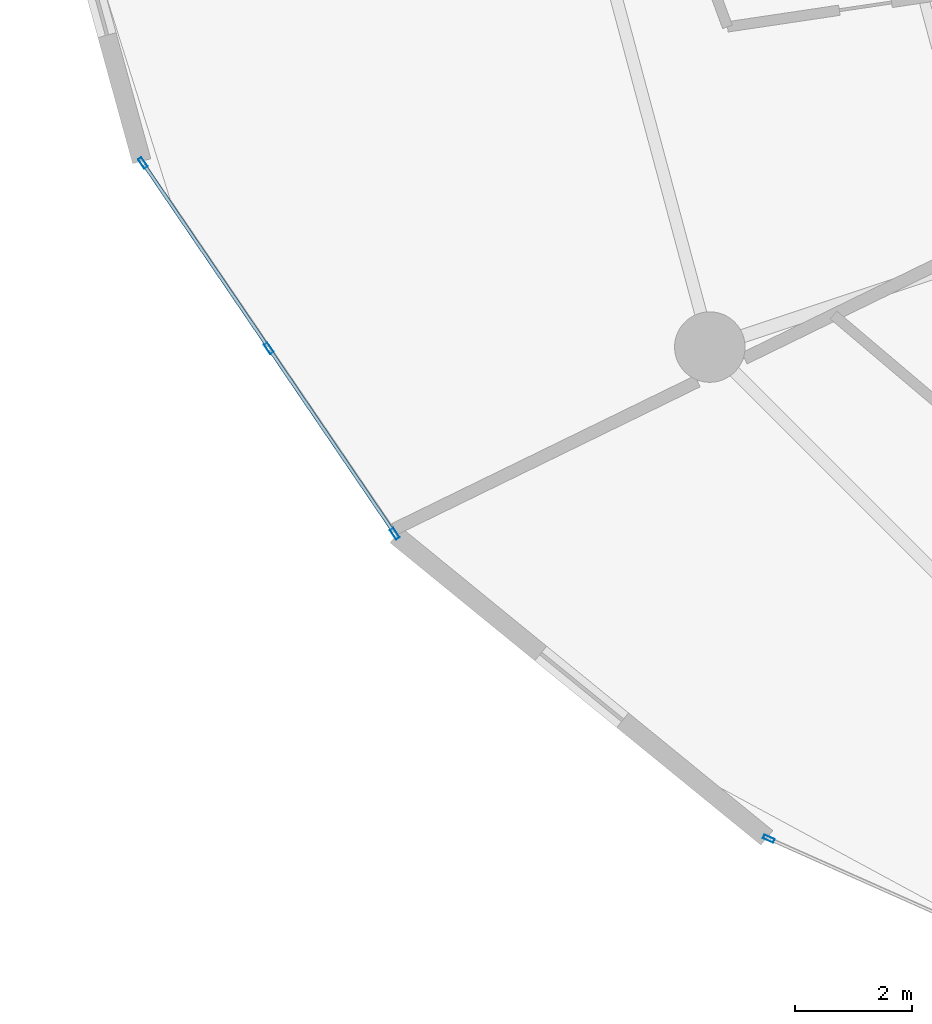
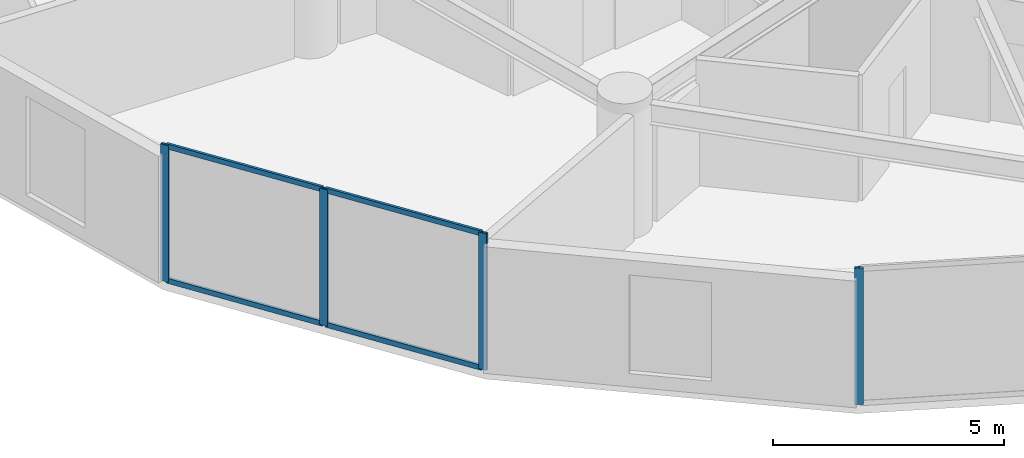
# One storey, part 2 of 26: 8 members, 2 elements without a shape of their own.
"""IFC4 building model written with IfcOpenShell, lengths in metres."""

from ifc_helpers import new_model, si_unit, direction, frame, origin, origin_2d, place, context, subcontext, project, spatial, hollow_rectangle, extrude, source, transform, mapped, material, layer, layer_set, material_profile, profile_set, type_object, element, aggregate, save


model = new_model("IFC4")

# Units and contexts
model_context = context("Model", 3, precision=1e-05, world=origin(), true_north=direction((0.0, 1.0)))
body_context = subcontext(model_context, "Body", "Model", "MODEL_VIEW")
ifc_project = project(units=[si_unit("LENGTHUNIT", "METRE"), si_unit("AREAUNIT", "SQUARE_METRE"), si_unit("VOLUMEUNIT", "CUBIC_METRE"), si_unit("PLANEANGLEUNIT", "RADIAN"), si_unit("MASSUNIT", "GRAM", prefix="KILO")], contexts=[model_context])

# Site, building, storey
site_placement = place(None, origin())
site = spatial("IfcSite", under=ifc_project, at=site_placement, CompositionType="ELEMENT")
building_placement = place(site_placement, origin())
building = spatial("IfcBuilding", under=site, at=building_placement, Name="Solvirekh Grand Hotel", CompositionType="ELEMENT")
storey_placement = place(building_placement, frame((0.0, 0.0, 64.39990234375)))
storey = spatial("IfcBuildingStorey", under=building, at=storey_placement, Name="L15", CompositionType="ELEMENT", Elevation=64.39990234375)

# Curtain wall, members
ifc_material = material(Name="Anodized Bronze Aluminium 6063-T6", Category="aluminium")
ifc_layer = layer(ifc_material, 0.18994140625)
ifc_layer_set = layer_set([ifc_layer], Name="Anodized Bronze Aluminium 6063-T6")
curtain_wall_type = type_object("IfcCurtainWallType", Name="CW_Sys2_LowZoneFlushBronzeCW", PredefinedType="NOTDEFINED", material=ifc_layer_set)
curtain_wall_1_placement = place(storey_placement, origin())
curtain_wall_1 = element("IfcCurtainWall", 1, at=curtain_wall_1_placement, inside=storey, type_object=curtain_wall_type, Name="L15 unitised bronze-glass curtain wall CW-L15-C13", PredefinedType="NOTDEFINED")
ifc_material_profile_1 = material_profile(ifc_material, hollow_rectangle(XDim=0.070068359375, YDim=0.18994140625, WallThickness=0.0048828125, at=origin_2d()), Name="ALU RHS 190X70X5")
ifc_profile_set_1 = profile_set([ifc_material_profile_1], Name="Anodized Bronze Aluminium 6063-T6")
member_type_1 = type_object("IfcMemberType", Name="CWMullion_Sys2", PredefinedType="MULLION", material=ifc_profile_set_1)
shared_shape_1 = source(origin(), body_context, "Body", "SweptSolid", [
    extrude(hollow_rectangle(XDim=0.070068359375, YDim=0.18994140625, WallThickness=0.0048828125, at=origin_2d()), origin(), (0.0, 0.0, 1.0), 3.60009765625),
])
member_1_placement = place(storey_placement, frame((-25.762451171875, -6.1640625, 0.0), z_axis=(0.0, 0.0, 1.0), x_axis=(0.827146114873, 0.561986925694, 0.0)))
member_1 = element("IfcMember", 2, at=member_1_placement, type_object=member_type_1, Name="U02 mullion 1", PredefinedType="MULLION", context=body_context, shape_type="MappedRepresentation", body=[
    mapped(shared_shape_1, transform((0.0, 0.0, 0.0), x_axis=(1.0, 0.0, 0.0), y_axis=(0.0, 1.0, 0.0), z_axis=(0.0, 0.0, 1.0), scale=1.0)),
])
member_2_placement = place(storey_placement, frame((-23.616943359375, -9.321533203125, 0.0), z_axis=(0.0, 0.0, 1.0), x_axis=(0.827146114873, 0.561986925694, 0.0)))
member_2 = element("IfcMember", 3, at=member_2_placement, type_object=member_type_1, Name="U02 mullion 2", PredefinedType="MULLION", context=body_context, shape_type="MappedRepresentation", body=[
    mapped(shared_shape_1, transform((0.0, 0.0, 0.0), x_axis=(1.0, 0.0, 0.0), y_axis=(0.0, 1.0, 0.0), z_axis=(0.0, 0.0, 1.0), scale=1.0)),
])
member_3_placement = place(storey_placement, frame((-21.4716796875, -12.47900390625, 0.0), z_axis=(0.0, 0.0, 1.0), x_axis=(0.827146114873, 0.561986925694, 0.0)))
member_3 = element("IfcMember", 4, at=member_3_placement, type_object=member_type_1, Name="U02 mullion 3", PredefinedType="MULLION", context=body_context, shape_type="MappedRepresentation", body=[
    mapped(shared_shape_1, transform((0.0, 0.0, 0.0), x_axis=(1.0, 0.0, 0.0), y_axis=(0.0, 1.0, 0.0), z_axis=(0.0, 0.0, 1.0), scale=1.0)),
])

# Curtain wall, member
curtain_wall_2_placement = place(storey_placement, origin())
curtain_wall_2 = element("IfcCurtainWall", 5, at=curtain_wall_2_placement, inside=storey, type_object=curtain_wall_type, Name="L15 unitised bronze-glass curtain wall CW-L15-C15", PredefinedType="NOTDEFINED")
member_4_placement = place(storey_placement, frame((-15.10400390625, -17.672119140625, 0.0), z_axis=(0.0, 0.0, 1.0), x_axis=(0.406634695152, 0.913590840967, 0.0)))
member_4 = element("IfcMember", 6, at=member_4_placement, type_object=member_type_1, Name="U02 mullion 1", PredefinedType="MULLION", context=body_context, shape_type="MappedRepresentation", body=[
    mapped(shared_shape_1, transform((0.0, 0.0, 0.0), x_axis=(1.0, 0.0, 0.0), y_axis=(0.0, 1.0, 0.0), z_axis=(0.0, 0.0, 1.0), scale=1.0)),
])
aggregate(curtain_wall_2, [member_4])

# Member
ifc_material_profile_2 = material_profile(ifc_material, hollow_rectangle(XDim=0.06005859375, YDim=0.135009765625, WallThickness=0.00390625, at=origin_2d()), Name="ALU RHS 135X60X4")
ifc_profile_set_2 = profile_set([ifc_material_profile_2], Name="Anodized Bronze Aluminium 6063-T6")
member_type_2 = type_object("IfcMemberType", Name="CWTransom_Sys2", PredefinedType="USERDEFINED", material=ifc_profile_set_2)
shared_shape_2 = source(origin(), body_context, "Body", "SweptSolid", [
    extrude(hollow_rectangle(XDim=0.06005859375, YDim=0.135009765625, WallThickness=0.00390625, at=origin_2d()), origin(), (0.0, 0.0, 1.0), 3.747314453125),
])
member_5_placement = place(storey_placement, frame((-25.74267578125, -6.19287109375, 0.030029296875), z_axis=(0.561985652749, -0.827146979747, 0.0), x_axis=(0.827146979747, 0.561985652749, 0.0)))
member_5 = element("IfcMember", 7, at=member_5_placement, type_object=member_type_2, Name="U02 transom 1.1", ObjectType="TRANSOM", PredefinedType="USERDEFINED", context=body_context, shape_type="MappedRepresentation", body=[
    mapped(shared_shape_2, transform((0.0, 0.0, 0.0), x_axis=(1.0, 0.0, 0.0), y_axis=(0.0, 1.0, 0.0), z_axis=(0.0, 0.0, 1.0), scale=1.0)),
])

member_6_placement = place(storey_placement, frame((-25.74267578125, -6.19287109375, 3.570068359375), z_axis=(0.561985652749, -0.827146979747, 0.0), x_axis=(0.827146979747, 0.561985652749, 0.0)))
member_6 = element("IfcMember", 8, at=member_6_placement, type_object=member_type_2, Name="U02 transom 1.2", ObjectType="TRANSOM", PredefinedType="USERDEFINED", context=body_context, shape_type="MappedRepresentation", body=[
    mapped(shared_shape_2, transform((0.0, 0.0, 0.0), x_axis=(1.0, 0.0, 0.0), y_axis=(0.0, 1.0, 0.0), z_axis=(0.0, 0.0, 1.0), scale=1.0)),
])

shared_shape_3 = source(origin(), body_context, "Body", "SweptSolid", [
    extrude(hollow_rectangle(XDim=0.06005859375, YDim=0.135009765625, WallThickness=0.00390625, at=origin_2d()), origin(), (0.0, 0.0, 1.0), 3.74755859375),
])
member_7_placement = place(storey_placement, frame((-23.597412109375, -9.350341796875, 0.030029296875), z_axis=(0.561955369275, -0.827167554334, 0.0), x_axis=(0.827167554334, 0.561955369275, 0.0)))
member_7 = element("IfcMember", 9, at=member_7_placement, type_object=member_type_2, Name="U02 transom 2.1", ObjectType="TRANSOM", PredefinedType="USERDEFINED", context=body_context, shape_type="MappedRepresentation", body=[
    mapped(shared_shape_3, transform((0.0, 0.0, 0.0), x_axis=(1.0, 0.0, 0.0), y_axis=(0.0, 1.0, 0.0), z_axis=(0.0, 0.0, 1.0), scale=1.0)),
])

member_8_placement = place(storey_placement, frame((-23.597412109375, -9.350341796875, 3.570068359375), z_axis=(0.561955369275, -0.827167554334, 0.0), x_axis=(0.827167554334, 0.561955369275, 0.0)))
member_8 = element("IfcMember", 10, at=member_8_placement, type_object=member_type_2, Name="U02 transom 2.2", ObjectType="TRANSOM", PredefinedType="USERDEFINED", context=body_context, shape_type="MappedRepresentation", body=[
    mapped(shared_shape_3, transform((0.0, 0.0, 0.0), x_axis=(1.0, 0.0, 0.0), y_axis=(0.0, 1.0, 0.0), z_axis=(0.0, 0.0, 1.0), scale=1.0)),
])

aggregate(curtain_wall_1, [member_1, member_2, member_3, member_5, member_6, member_7, member_8])

save(model, "model.ifc")
